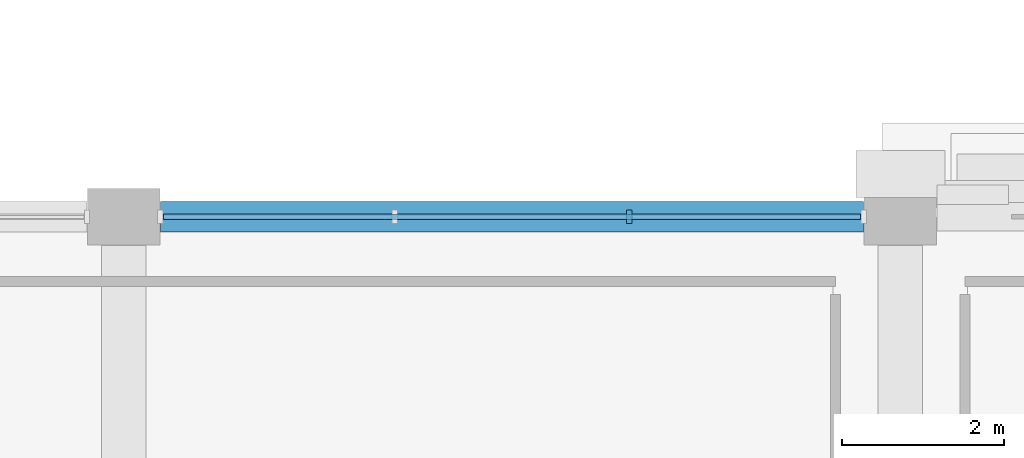
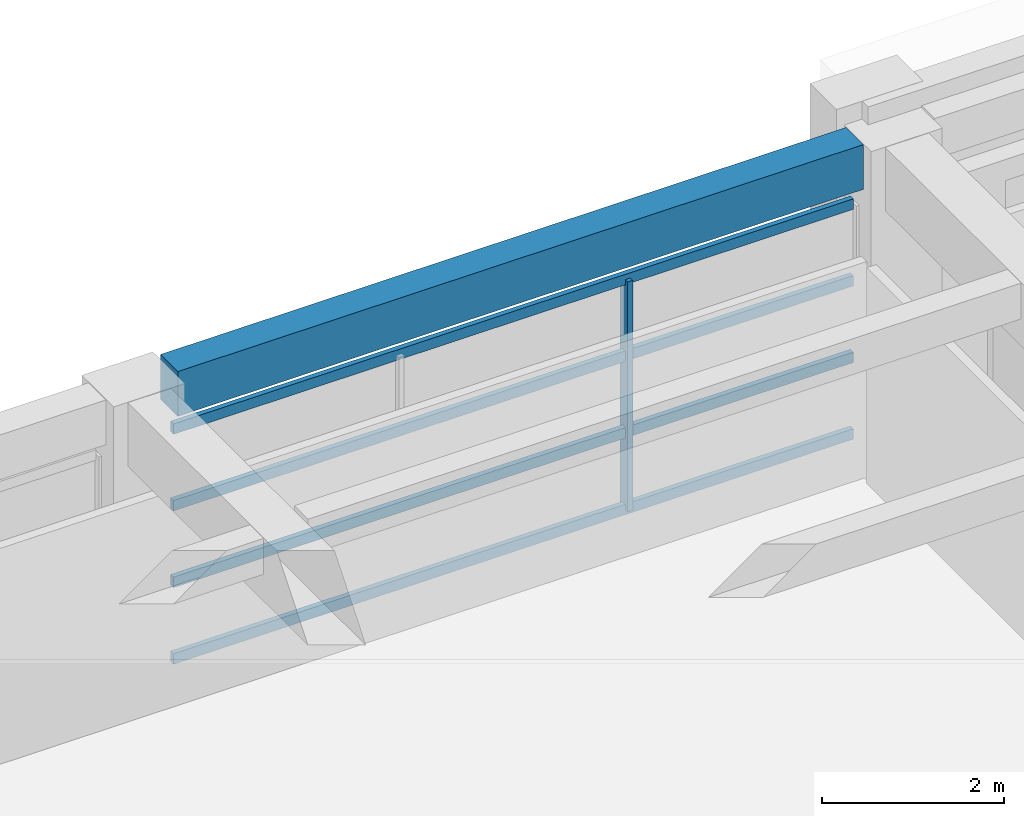
# One storey, part 24 of 62: 5 members, 1 beam, 1 element without a shape of its own.
"""IFC4 building model written with IfcOpenShell, lengths in metres."""

from ifc_helpers import new_model, si_unit, direction, frame, origin, origin_2d, place, context, subcontext, project, spatial, rectangle, extrude, material, layer, layer_set, material_profile, profile_set, type_object, element, aggregate, save


model = new_model("IFC4")

# Units and contexts
model_context = context("Model", 3, precision=1e-05, world=origin(), true_north=direction((0.0, 1.0)))
body_context = subcontext(model_context, "Body", "Model", "MODEL_VIEW")
ifc_project = project(units=[si_unit("LENGTHUNIT", "METRE"), si_unit("AREAUNIT", "SQUARE_METRE"), si_unit("VOLUMEUNIT", "CUBIC_METRE"), si_unit("PLANEANGLEUNIT", "RADIAN"), si_unit("MASSUNIT", "GRAM", prefix="KILO")], contexts=[model_context])

# Site, building, storey
site_placement = place(None, origin())
site = spatial("IfcSite", under=ifc_project, at=site_placement, CompositionType="ELEMENT")
building_placement = place(site_placement, origin())
building = spatial("IfcBuilding", under=site, at=building_placement, Name="Bempovik Park Faculty of Sciences", CompositionType="ELEMENT")
storey_placement = place(building_placement, frame((0.0, 0.0, 9.89990234375)))
storey = spatial("IfcBuildingStorey", under=building, at=storey_placement, Name="L02", CompositionType="ELEMENT", Elevation=9.89990234375)

# Beam
ifc_material_1 = material(Name="Concrete C35/45", Category="concrete")
ifc_material_profile_1 = material_profile(ifc_material_1, rectangle(XDim=0.3798828125, YDim=0.60009765625, at=origin_2d()), Name="RC 380x600")
ifc_profile_set_1 = profile_set([ifc_material_profile_1], Name="Concrete C35/45")
beam_type = type_object("IfcBeamType", Name="B-032 RC 380x600", PredefinedType="SPANDREL", material=ifc_profile_set_1)
beam_placement = place(storey_placement, frame((127.656005859375, 87.0, 3.66015625), z_axis=(1.0, 0.0, 0.0), x_axis=(0.0, 1.0, 0.0)))
element("IfcBeam", 1, at=beam_placement, inside=storey, type_object=beam_type, Name="L02 Beam X (127.2-136.8, y=87.0)", PredefinedType="SPANDREL", context=body_context, shape_type="SweptSolid", body=[
    extrude(rectangle(XDim=0.3798828125, YDim=0.60009765625, at=origin_2d()), origin(), (0.0, 0.0, 1.0), 8.68798828125),
])

# Curtain wall, members
ifc_material_2 = material(Name="Tempered laminated low-E glass", Category="glass")
ifc_layer = layer(ifc_material_2, 0.159912109375)
ifc_layer_set = layer_set([ifc_layer], Name="Tempered laminated low-E glass")
curtain_wall_type = type_object("IfcCurtainWallType", Name="CW-41 Curtain 6600x3800", PredefinedType="USERDEFINED", material=ifc_layer_set)
curtain_wall_placement = place(storey_placement, origin())
curtain_wall = element("IfcCurtainWall", 2, at=curtain_wall_placement, inside=storey, type_object=curtain_wall_type, Name="L02 Unitised Curtain Wall (87.0,127.2)", ObjectType="UNITISED CURTAIN WALL", PredefinedType="USERDEFINED")
ifc_material_3 = material(Name="Anodised architectural bronze", Category="aluminium")
ifc_material_profile_2 = material_profile(ifc_material_3, rectangle(XDim=0.06494140625, YDim=0.169921875, at=origin_2d()), Name="ALU-M 65x170")
ifc_profile_set_2 = profile_set([ifc_material_profile_2], Name="Anodised architectural bronze")
member_type_1 = type_object("IfcMemberType", Name="ML-15 ALU-M 65x170", PredefinedType="MULLION", material=ifc_profile_set_2)
member_1_placement = place(storey_placement, frame((133.44921875, 87.0, 0.0), z_axis=(0.0, 0.0, 1.0), x_axis=(1.0, 0.0, 0.0)))
member_1 = element("IfcMember", 3, at=member_1_placement, type_object=member_type_1, Name="CW-BAY-L02-870-1272 Mullion 2", PredefinedType="MULLION", context=body_context, shape_type="SweptSolid", body=[
    extrude(rectangle(XDim=0.06494140625, YDim=0.169921875, at=origin_2d()), origin(), (0.0, 0.0, 1.0), 3.080078125),
])
ifc_material_profile_3 = material_profile(ifc_material_3, rectangle(XDim=0.06494140625, YDim=0.139892578125, at=origin_2d()), Name="ALU-T 65x140")
ifc_profile_set_3 = profile_set([ifc_material_profile_3], Name="Anodised architectural bronze")
member_type_2 = type_object("IfcMemberType", Name="TR-17 ALU-T 65x140", PredefinedType="USERDEFINED", material=ifc_profile_set_3)
member_2_placement = place(storey_placement, frame((127.69189453125, 87.0, 0.0), z_axis=(1.0, 0.0, 0.0), x_axis=(0.0, 1.0, 0.0)))
member_2 = element("IfcMember", 4, at=member_2_placement, type_object=member_type_2, Name="CW-BAY-L02-870-1272 Transom 0", ObjectType="TRANSOM", PredefinedType="USERDEFINED", context=body_context, shape_type="SweptSolid", body=[
    extrude(rectangle(XDim=0.06494140625, YDim=0.139892578125, at=origin_2d()), origin(), (0.0, 0.0, 1.0), 8.6162109375),
])
member_3_placement = place(storey_placement, frame((127.69189453125, 87.0, 1.02685546875), z_axis=(1.0, 0.0, 0.0), x_axis=(0.0, 1.0, 0.0)))
member_3 = element("IfcMember", 5, at=member_3_placement, type_object=member_type_2, Name="CW-BAY-L02-870-1272 Transom 1", ObjectType="TRANSOM", PredefinedType="USERDEFINED", context=body_context, shape_type="SweptSolid", body=[
    extrude(rectangle(XDim=0.06494140625, YDim=0.139892578125, at=origin_2d()), origin(), (0.0, 0.0, 1.0), 8.6162109375),
])
member_4_placement = place(storey_placement, frame((127.69189453125, 87.0, 2.053466796875), z_axis=(1.0, 0.0, 0.0), x_axis=(0.0, 1.0, 0.0)))
member_4 = element("IfcMember", 6, at=member_4_placement, type_object=member_type_2, Name="CW-BAY-L02-870-1272 Transom 2", ObjectType="TRANSOM", PredefinedType="USERDEFINED", context=body_context, shape_type="SweptSolid", body=[
    extrude(rectangle(XDim=0.06494140625, YDim=0.139892578125, at=origin_2d()), origin(), (0.0, 0.0, 1.0), 8.6162109375),
])
member_5_placement = place(storey_placement, frame((127.69189453125, 87.0, 3.080078125), z_axis=(1.0, 0.0, 0.0), x_axis=(0.0, 1.0, 0.0)))
member_5 = element("IfcMember", 7, at=member_5_placement, type_object=member_type_2, Name="CW-BAY-L02-870-1272 Transom 3", ObjectType="TRANSOM", PredefinedType="USERDEFINED", context=body_context, shape_type="SweptSolid", body=[
    extrude(rectangle(XDim=0.06494140625, YDim=0.139892578125, at=origin_2d()), origin(), (0.0, 0.0, 1.0), 8.6162109375),
])
aggregate(curtain_wall, [member_1, member_2, member_3, member_4, member_5])

save(model, "model.ifc")
